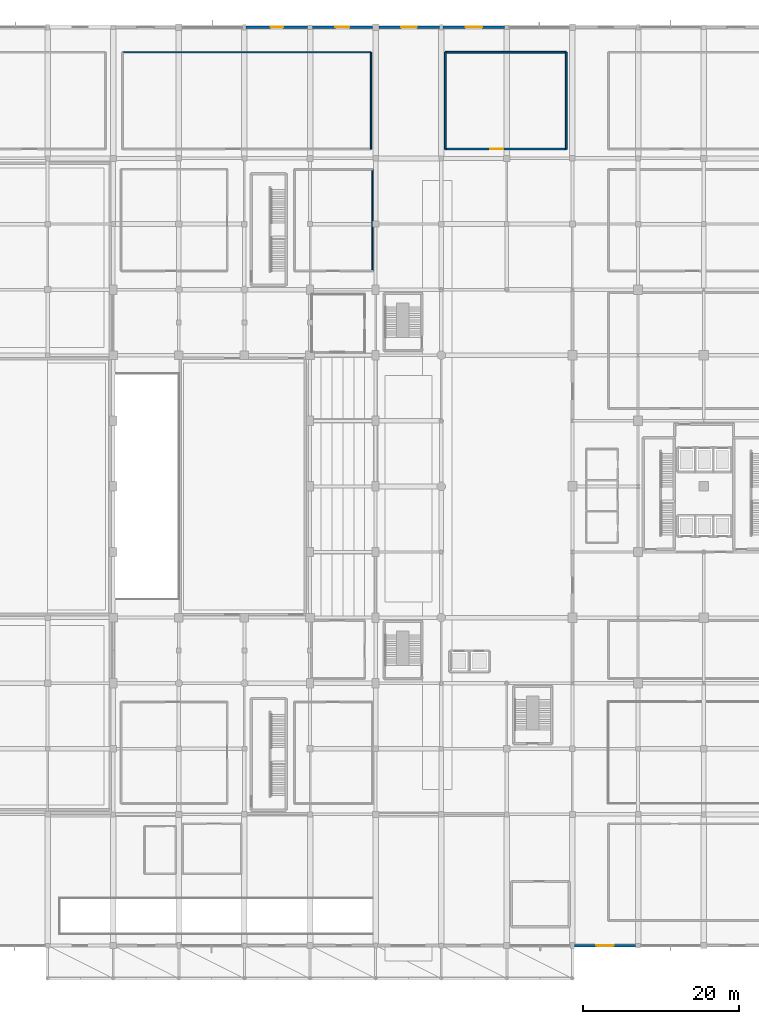
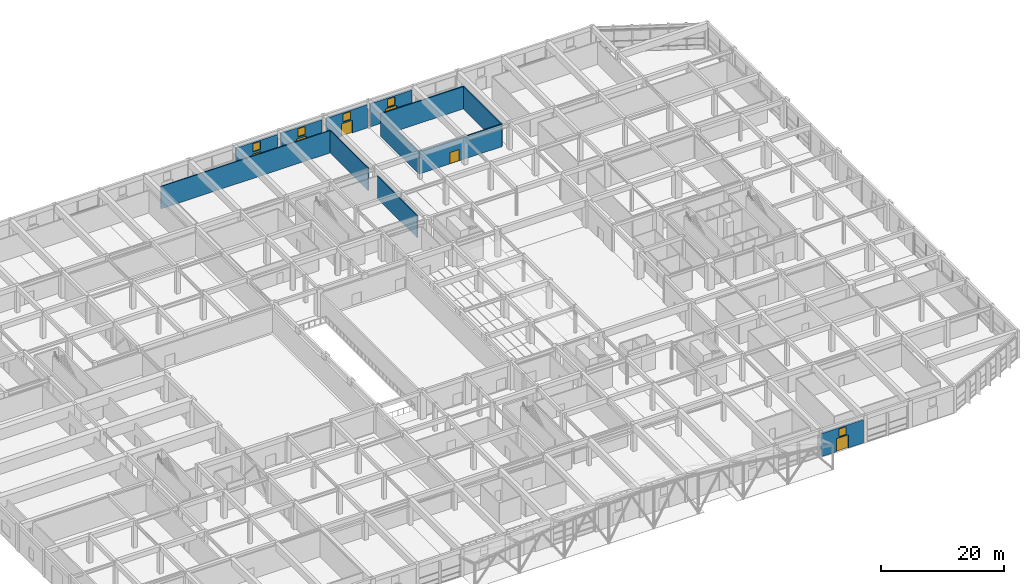
# One storey, part 47 of 62: 12 walls, 6 doors, 5 windows, 11 openings.
"""IFC4 building model written with IfcOpenShell, lengths in metres."""

from ifc_helpers import new_model, si_unit, direction, frame, frame_2d, origin, place, context, subcontext, project, spatial, rectangle, extrude, material, layer, layer_set, type_object, element, fill, save


model = new_model("IFC4")

# Units and contexts
model_context = context("Model", 3, precision=1e-05, world=origin(), true_north=direction((0.0, 1.0)))
body_context = subcontext(model_context, "Body", "Model", "MODEL_VIEW")
ifc_project = project(units=[si_unit("LENGTHUNIT", "METRE"), si_unit("AREAUNIT", "SQUARE_METRE"), si_unit("VOLUMEUNIT", "CUBIC_METRE"), si_unit("PLANEANGLEUNIT", "RADIAN"), si_unit("MASSUNIT", "GRAM", prefix="KILO")], contexts=[model_context])

# Site, building, storey
site_placement = place(None, origin())
site = spatial("IfcSite", under=ifc_project, at=site_placement, CompositionType="ELEMENT")
building_placement = place(site_placement, origin())
building = spatial("IfcBuilding", under=site, at=building_placement, Name="Xuanlan Plaza Opera House", CompositionType="ELEMENT")
storey_placement = place(building_placement, origin())
storey = spatial("IfcBuildingStorey", under=building, at=storey_placement, Name="L00", CompositionType="ELEMENT", Elevation=0.0)

# Wall, openings, door, window
ifc_material_1 = material(Name="Anodised Aluminium 6063-T6 and Rockwool Cladding", Category="aluminium")
ifc_layer_1 = layer(ifc_material_1, 0.360107421875)
ifc_layer_set_1 = layer_set([ifc_layer_1], Name="Anodised Aluminium 6063-T6 and Rockwool Cladding")
wall_type_1 = type_object("IfcWallType", Name="ENV-WL-EW-01", PredefinedType="STANDARD", material=ifc_layer_set_1)
wall_1_placement = place(storey_placement, frame((117.300048828125, 117.60009765625, 0.0), z_axis=(0.0, 0.0, 1.0), x_axis=(-1.0, 0.0, 0.0)))
wall_1 = element("IfcWall", 1, at=wall_1_placement, inside=storey, type_object=wall_type_1, Name="Exterior Wall L00-035", PredefinedType="STANDARD", context=body_context, shape_type="SweptSolid", body=[
    extrude(rectangle(XDim=7.85009765625, YDim=0.360107421875, at=frame_2d((3.925048828125, 0.0))), origin(), (0.0, 0.0, 1.0), 4.580078125),
])
opening_1_placement = place(wall_1_placement, frame((2.875, 0.0, 0.0)))
opening_1 = element("IfcOpeningElement", 2, at=opening_1_placement, cuts=wall_1, Name="Opening ED-06", PredefinedType="OPENING", context=body_context, shape_type="SweptSolid", body=[
    extrude(rectangle(XDim=2.10009765625, YDim=2.550048828125, at=frame_2d((1.050048828125, 1.27490234375))), frame((0.0, 0.18994140625, 0.0), z_axis=(0.0, -1.0, 0.0), x_axis=(1.0, 0.0, 0.0)), (0.0, 0.0, 1.0), 0.380126953125),
])
opening_2_placement = place(wall_1_placement, frame((3.22509765625, 0.0, 2.75)))
opening_2 = element("IfcOpeningElement", 3, at=opening_2_placement, cuts=wall_1, Name="Opening WN-08", PredefinedType="OPENING", context=body_context, shape_type="SweptSolid", body=[
    extrude(rectangle(XDim=1.39990234375, YDim=1.60009765625, at=frame_2d((0.699951171875, 0.800048828125))), frame((0.0, 0.18994140625, 0.0), z_axis=(0.0, -1.0, 0.0), x_axis=(1.0, 0.0, 0.0)), (0.0, 0.0, 1.0), 0.380126953125),
])
ifc_material_2 = material(Name="Anodised Aluminium 6063-T6 and Laminated Safety Glass", Category="aluminium")
door_type_1 = type_object("IfcDoorType", Name="ENV-DR-ED-06", OperationType="DOUBLE_DOOR_SINGLE_SWING", PredefinedType="DOOR", material=ifc_material_2)
door_1_placement = place(opening_1_placement, frame((2.10009765625, 0.0, 0.0), z_axis=(0.0, 0.0, 1.0), x_axis=(-1.0, 0.0, 0.0)))
door_1 = element("IfcDoor", 4, at=door_1_placement, inside=storey, type_object=door_type_1, Name="Main Foyer Pedestrian Entrance Door 17", OperationType="DOUBLE_DOOR_SINGLE_SWING", OverallHeight=2.550048828125, OverallWidth=2.10009765625, PredefinedType="DOOR", context=body_context, shape_type="SweptSolid", body=[
    extrude(rectangle(XDim=2.10009765625, YDim=2.550048828125, at=frame_2d((1.050048828125, 1.27490234375))), frame((0.0, 0.02490234375, 0.0), z_axis=(0.0, -1.0, 0.0), x_axis=(1.0, 0.0, 0.0)), (0.0, 0.0, 1.0), 0.050048828125),
])
fill(opening_1, door_1)
ifc_material_3 = material(Name="Anodised Aluminium 6063-T6 and Low-E Glass", Category="aluminium")
window_type = type_object("IfcWindowType", Name="ENV-WN-WN-08", PartitioningType="SINGLE_PANEL", PredefinedType="WINDOW", material=ifc_material_3)
window_1_placement = place(opening_2_placement, origin())
window_1 = element("IfcWindow", 5, at=window_1_placement, inside=storey, type_object=window_type, Name="Entrance Portal Transom Clerestory 17", OverallHeight=1.60009765625, OverallWidth=1.39990234375, PartitioningType="SINGLE_PANEL", PredefinedType="WINDOW", context=body_context, shape_type="SweptSolid", body=[
    extrude(rectangle(XDim=1.39990234375, YDim=1.60009765625, at=frame_2d((0.699951171875, 0.800048828125))), frame((0.0, 0.030029296875, 0.0), z_axis=(0.0, -1.0, 0.0), x_axis=(1.0, 0.0, 0.0)), (0.0, 0.0, 1.0), 0.06005859375),
])
fill(opening_2, window_1)

ifc_layer_2 = layer(ifc_material_1, 0.340087890625)
ifc_layer_set_2 = layer_set([ifc_layer_2], Name="Anodised Aluminium 6063-T6 and Rockwool Cladding")
wall_type_2 = type_object("IfcWallType", Name="ENV-WL-EW-02", PredefinedType="STANDARD", material=ifc_layer_set_2)
wall_2_placement = place(storey_placement, frame((108.949951171875, 117.60009765625, 0.0), z_axis=(0.0, 0.0, 1.0), x_axis=(-1.0, 0.0, 0.0)))
wall_2 = element("IfcWall", 6, at=wall_2_placement, inside=storey, type_object=wall_type_2, Name="Exterior Wall L00-036", PredefinedType="STANDARD", context=body_context, shape_type="SweptSolid", body=[
    extrude(rectangle(XDim=7.75, YDim=0.340087890625, at=frame_2d((3.875, 0.0))), origin(), (0.0, 0.0, 1.0), 4.580078125),
])
opening_3_placement = place(wall_2_placement, frame((2.875, 0.0, 0.0)))
opening_3 = element("IfcOpeningElement", 7, at=opening_3_placement, cuts=wall_2, Name="Opening ED-01", PredefinedType="OPENING", context=body_context, shape_type="SweptSolid", body=[
    extrude(rectangle(XDim=2.0, YDim=2.5, at=frame_2d((1.0, 1.25))), frame((0.0, 0.179931640625, 0.0), z_axis=(0.0, -1.0, 0.0), x_axis=(1.0, 0.0, 0.0)), (0.0, 0.0, 1.0), 0.360107421875),
])
opening_4_placement = place(wall_2_placement, frame((3.175048828125, 0.0, 2.75)))
opening_4 = element("IfcOpeningElement", 8, at=opening_4_placement, cuts=wall_2, Name="Opening WN-08", PredefinedType="OPENING", context=body_context, shape_type="SweptSolid", body=[
    extrude(rectangle(XDim=1.39990234375, YDim=1.60009765625, at=frame_2d((0.699951171875, 0.800048828125))), frame((0.0, 0.179931640625, 0.0), z_axis=(0.0, -1.0, 0.0), x_axis=(1.0, 0.0, 0.0)), (0.0, 0.0, 1.0), 0.360107421875),
])
door_type_2 = type_object("IfcDoorType", Name="ENV-DR-ED-01", OperationType="DOUBLE_DOOR_SINGLE_SWING", PredefinedType="DOOR", material=ifc_material_2)
door_2_placement = place(opening_3_placement, frame((2.0, 0.0, 0.0), z_axis=(0.0, 0.0, 1.0), x_axis=(-1.0, 0.0, 0.0)))
door_2 = element("IfcDoor", 9, at=door_2_placement, inside=storey, type_object=door_type_2, Name="Main Foyer Pedestrian Entrance Door 18", OperationType="DOUBLE_DOOR_SINGLE_SWING", OverallHeight=2.5, OverallWidth=2.0, PredefinedType="DOOR", context=body_context, shape_type="SweptSolid", body=[
    extrude(rectangle(XDim=2.0, YDim=2.5, at=frame_2d((1.0, 1.25))), frame((0.0, 0.02490234375, 0.0), z_axis=(0.0, -1.0, 0.0), x_axis=(1.0, 0.0, 0.0)), (0.0, 0.0, 1.0), 0.050048828125),
])
fill(opening_3, door_2)
window_2_placement = place(opening_4_placement, origin())
window_2 = element("IfcWindow", 10, at=window_2_placement, inside=storey, type_object=window_type, Name="Entrance Portal Transom Clerestory 18", OverallHeight=1.60009765625, OverallWidth=1.39990234375, PartitioningType="SINGLE_PANEL", PredefinedType="WINDOW", context=body_context, shape_type="SweptSolid", body=[
    extrude(rectangle(XDim=1.39990234375, YDim=1.60009765625, at=frame_2d((0.699951171875, 0.800048828125))), frame((0.0, 0.030029296875, 0.0), z_axis=(0.0, -1.0, 0.0), x_axis=(1.0, 0.0, 0.0)), (0.0, 0.0, 1.0), 0.06005859375),
])
fill(opening_4, window_2)

ifc_layer_3 = layer(ifc_material_1, 0.320068359375)
ifc_layer_set_3 = layer_set([ifc_layer_3], Name="Anodised Aluminium 6063-T6 and Rockwool Cladding")
wall_type_3 = type_object("IfcWallType", Name="ENV-WL-EW-03", PredefinedType="STANDARD", material=ifc_layer_set_3)
wall_3_placement = place(storey_placement, frame((100.39990234375, 117.60009765625, 0.0), z_axis=(0.0, 0.0, 1.0), x_axis=(-1.0, 0.0, 0.0)))
wall_3 = element("IfcWall", 11, at=wall_3_placement, inside=storey, type_object=wall_type_3, Name="Exterior Wall L00-037", PredefinedType="STANDARD", context=body_context, shape_type="SweptSolid", body=[
    extrude(rectangle(XDim=7.699951171875, YDim=0.320068359375, at=frame_2d((3.85009765625, 0.0))), origin(), (0.0, 0.0, 1.0), 4.580078125),
])
opening_5_placement = place(wall_3_placement, frame((2.949951171875, 0.0, 0.0)))
opening_5 = element("IfcOpeningElement", 12, at=opening_5_placement, cuts=wall_3, Name="Opening ED-02", PredefinedType="OPENING", context=body_context, shape_type="SweptSolid", body=[
    extrude(rectangle(XDim=1.800048828125, YDim=2.39990234375, at=frame_2d((0.89990234375, 1.199951171875))), frame((0.0, 0.169921875, 0.0), z_axis=(0.0, -1.0, 0.0), x_axis=(1.0, 0.0, 0.0)), (0.0, 0.0, 1.0), 0.340087890625),
])
opening_6_placement = place(wall_3_placement, frame((3.14990234375, 0.0, 2.75)))
opening_6 = element("IfcOpeningElement", 13, at=opening_6_placement, cuts=wall_3, Name="Opening WN-08", PredefinedType="OPENING", context=body_context, shape_type="SweptSolid", body=[
    extrude(rectangle(XDim=1.39990234375, YDim=1.60009765625, at=frame_2d((0.699951171875, 0.800048828125))), frame((0.0, 0.169921875, 0.0), z_axis=(0.0, -1.0, 0.0), x_axis=(1.0, 0.0, 0.0)), (0.0, 0.0, 1.0), 0.340087890625),
])
door_type_3 = type_object("IfcDoorType", Name="ENV-DR-ED-02", OperationType="DOUBLE_DOOR_SINGLE_SWING", PredefinedType="DOOR", material=ifc_material_2)
door_3_placement = place(opening_5_placement, frame((1.800048828125, 0.0, 0.0), z_axis=(0.0, 0.0, 1.0), x_axis=(-1.0, 0.0, 0.0)))
door_3 = element("IfcDoor", 14, at=door_3_placement, inside=storey, type_object=door_type_3, Name="Main Foyer Pedestrian Entrance Door 19", OperationType="DOUBLE_DOOR_SINGLE_SWING", OverallHeight=2.39990234375, OverallWidth=1.800048828125, PredefinedType="DOOR", context=body_context, shape_type="SweptSolid", body=[
    extrude(rectangle(XDim=1.800048828125, YDim=2.39990234375, at=frame_2d((0.89990234375, 1.199951171875))), frame((0.0, 0.02490234375, 0.0), z_axis=(0.0, -1.0, 0.0), x_axis=(1.0, 0.0, 0.0)), (0.0, 0.0, 1.0), 0.050048828125),
])
fill(opening_5, door_3)
window_3_placement = place(opening_6_placement, origin())
window_3 = element("IfcWindow", 15, at=window_3_placement, inside=storey, type_object=window_type, Name="Entrance Portal Transom Clerestory 19", OverallHeight=1.60009765625, OverallWidth=1.39990234375, PartitioningType="SINGLE_PANEL", PredefinedType="WINDOW", context=body_context, shape_type="SweptSolid", body=[
    extrude(rectangle(XDim=1.39990234375, YDim=1.60009765625, at=frame_2d((0.699951171875, 0.800048828125))), frame((0.0, 0.030029296875, 0.0), z_axis=(0.0, -1.0, 0.0), x_axis=(1.0, 0.0, 0.0)), (0.0, 0.0, 1.0), 0.06005859375),
])
fill(opening_6, window_3)

ifc_layer_4 = layer(ifc_material_1, 0.31005859375)
ifc_layer_set_4 = layer_set([ifc_layer_4], Name="Anodised Aluminium 6063-T6 and Rockwool Cladding")
wall_type_4 = type_object("IfcWallType", Name="ENV-WL-EW-04", PredefinedType="STANDARD", material=ifc_layer_set_4)
wall_4_placement = place(storey_placement, frame((126.25, 0.0, 0.0), z_axis=(0.0, 0.0, 1.0), x_axis=(1.0, 0.0, 0.0)))
wall_4 = element("IfcWall", 16, at=wall_4_placement, inside=storey, type_object=wall_type_4, Name="Exterior Wall L00-014", PredefinedType="STANDARD", context=body_context, shape_type="SweptSolid", body=[
    extrude(rectangle(XDim=7.85009765625, YDim=0.31005859375, at=frame_2d((3.925048828125, 0.0))), origin(), (0.0, 0.0, 1.0), 4.580078125),
])
opening_7_placement = place(wall_4_placement, frame((2.824951171875, 0.0, 0.0)))
opening_7 = element("IfcOpeningElement", 17, at=opening_7_placement, cuts=wall_4, Name="Opening ED-04", PredefinedType="OPENING", context=body_context, shape_type="SweptSolid", body=[
    extrude(rectangle(XDim=2.199951171875, YDim=2.60009765625, at=frame_2d((1.10009765625, 1.300048828125))), frame((0.0, 0.1650390625, 0.0), z_axis=(0.0, -1.0, 0.0), x_axis=(1.0, 0.0, 0.0)), (0.0, 0.0, 1.0), 0.330078125),
])
opening_8_placement = place(wall_4_placement, frame((3.22509765625, 0.0, 2.75)))
opening_8 = element("IfcOpeningElement", 18, at=opening_8_placement, cuts=wall_4, Name="Opening WN-08", PredefinedType="OPENING", context=body_context, shape_type="SweptSolid", body=[
    extrude(rectangle(XDim=1.39990234375, YDim=1.60009765625, at=frame_2d((0.699951171875, 0.800048828125))), frame((0.0, 0.1650390625, 0.0), z_axis=(0.0, -1.0, 0.0), x_axis=(1.0, 0.0, 0.0)), (0.0, 0.0, 1.0), 0.330078125),
])
door_type_4 = type_object("IfcDoorType", Name="ENV-DR-ED-04", OperationType="DOUBLE_DOOR_SINGLE_SWING", PredefinedType="DOOR", material=ifc_material_2)
door_4_placement = place(opening_7_placement, frame((2.199951171875, 0.0, 0.0), z_axis=(0.0, 0.0, 1.0), x_axis=(-1.0, 0.0, 0.0)))
door_4 = element("IfcDoor", 19, at=door_4_placement, inside=storey, type_object=door_type_4, Name="Main Foyer Pedestrian Entrance Door 09", OperationType="DOUBLE_DOOR_SINGLE_SWING", OverallHeight=2.60009765625, OverallWidth=2.199951171875, PredefinedType="DOOR", context=body_context, shape_type="SweptSolid", body=[
    extrude(rectangle(XDim=2.199951171875, YDim=2.60009765625, at=frame_2d((1.10009765625, 1.300048828125))), frame((0.0, 0.02490234375, 0.0), z_axis=(0.0, -1.0, 0.0), x_axis=(1.0, 0.0, 0.0)), (0.0, 0.0, 1.0), 0.050048828125),
])
fill(opening_7, door_4)
window_4_placement = place(opening_8_placement, origin())
window_4 = element("IfcWindow", 20, at=window_4_placement, inside=storey, type_object=window_type, Name="Entrance Portal Transom Clerestory 09", OverallHeight=1.60009765625, OverallWidth=1.39990234375, PartitioningType="SINGLE_PANEL", PredefinedType="WINDOW", context=body_context, shape_type="SweptSolid", body=[
    extrude(rectangle(XDim=1.39990234375, YDim=1.60009765625, at=frame_2d((0.699951171875, 0.800048828125))), frame((0.0, 0.030029296875, 0.0), z_axis=(0.0, -1.0, 0.0), x_axis=(1.0, 0.0, 0.0)), (0.0, 0.0, 1.0), 0.06005859375),
])
fill(opening_8, window_4)

wall_5_placement = place(storey_placement, frame((92.10009765625, 117.60009765625, 0.0), z_axis=(0.0, 0.0, 1.0), x_axis=(-1.0, 0.0, 0.0)))
wall_5 = element("IfcWall", 21, at=wall_5_placement, inside=storey, type_object=wall_type_4, Name="Exterior Wall L00-038", PredefinedType="STANDARD", context=body_context, shape_type="SweptSolid", body=[
    extrude(rectangle(XDim=7.875, YDim=0.31005859375, at=frame_2d((3.9375, 0.0))), origin(), (0.0, 0.0, 1.0), 4.580078125),
])
opening_9_placement = place(wall_5_placement, frame((3.137939453125, 0.0, 0.0)))
opening_9 = element("IfcOpeningElement", 22, at=opening_9_placement, cuts=wall_5, Name="Opening ED-03", PredefinedType="OPENING", context=body_context, shape_type="SweptSolid", body=[
    extrude(rectangle(XDim=1.60009765625, YDim=2.300048828125, at=frame_2d((0.800048828125, 1.14990234375))), frame((0.0, 0.1650390625, 0.0), z_axis=(0.0, -1.0, 0.0), x_axis=(1.0, 0.0, 0.0)), (0.0, 0.0, 1.0), 0.330078125),
])
opening_10_placement = place(wall_5_placement, frame((3.237060546875, 0.0, 2.75)))
opening_10 = element("IfcOpeningElement", 23, at=opening_10_placement, cuts=wall_5, Name="Opening WN-08", PredefinedType="OPENING", context=body_context, shape_type="SweptSolid", body=[
    extrude(rectangle(XDim=1.39990234375, YDim=1.60009765625, at=frame_2d((0.699951171875, 0.800048828125))), frame((0.0, 0.1650390625, 0.0), z_axis=(0.0, -1.0, 0.0), x_axis=(1.0, 0.0, 0.0)), (0.0, 0.0, 1.0), 0.330078125),
])
door_type_5 = type_object("IfcDoorType", Name="ENV-DR-ED-03", OperationType="DOUBLE_DOOR_SINGLE_SWING", PredefinedType="DOOR", material=ifc_material_2)
door_5_placement = place(opening_9_placement, frame((1.60009765625, 0.0, 0.0), z_axis=(0.0, 0.0, 1.0), x_axis=(-1.0, 0.0, 0.0)))
door_5 = element("IfcDoor", 24, at=door_5_placement, inside=storey, type_object=door_type_5, Name="Main Foyer Pedestrian Entrance Door 20", OperationType="DOUBLE_DOOR_SINGLE_SWING", OverallHeight=2.300048828125, OverallWidth=1.60009765625, PredefinedType="DOOR", context=body_context, shape_type="SweptSolid", body=[
    extrude(rectangle(XDim=1.60009765625, YDim=2.300048828125, at=frame_2d((0.800048828125, 1.14990234375))), frame((0.0, 0.02490234375, 0.0), z_axis=(0.0, -1.0, 0.0), x_axis=(1.0, 0.0, 0.0)), (0.0, 0.0, 1.0), 0.050048828125),
])
fill(opening_9, door_5)
window_5_placement = place(opening_10_placement, origin())
window_5 = element("IfcWindow", 25, at=window_5_placement, inside=storey, type_object=window_type, Name="Entrance Portal Transom Clerestory 20", OverallHeight=1.60009765625, OverallWidth=1.39990234375, PartitioningType="SINGLE_PANEL", PredefinedType="WINDOW", context=body_context, shape_type="SweptSolid", body=[
    extrude(rectangle(XDim=1.39990234375, YDim=1.60009765625, at=frame_2d((0.699951171875, 0.800048828125))), frame((0.0, 0.030029296875, 0.0), z_axis=(0.0, -1.0, 0.0), x_axis=(1.0, 0.0, 0.0)), (0.0, 0.0, 1.0), 0.06005859375),
])
fill(opening_10, window_5)

# Walls
ifc_material_4 = material(Name="Gypsum Board and Galvanised Steel Studs", Category="gypsum")
ifc_layer_5 = layer(ifc_material_4, 0.179931640625)
ifc_layer_set_5 = layer_set([ifc_layer_5], Name="Gypsum Board and Galvanised Steel Studs")
wall_type_5 = type_object("IfcWallType", Name="INT-WL-PW-02", PredefinedType="PARTITIONING", material=ifc_layer_set_5)
wall_6_placement = place(storey_placement, frame((100.39990234375, 86.39990234375, 0.0), z_axis=(0.0, 0.0, 1.0), x_axis=(0.0, 1.0, 0.0)))
element("IfcWall", 26, at=wall_6_placement, inside=storey, type_object=wall_type_5, Name="Audience Programme Store Wall East", PredefinedType="PARTITIONING", context=body_context, shape_type="SweptSolid", body=[
    extrude(rectangle(XDim=13.0, YDim=0.179931640625, at=frame_2d((6.5, 0.0))), origin(), (0.0, 0.0, 1.0), 4.43994140625),
])
wall_7_placement = place(storey_placement, frame((68.39990234375, 114.39990234375, 0.0), z_axis=(0.0, 0.0, 1.0), x_axis=(1.0, 0.0, 0.0)))
element("IfcWall", 27, at=wall_7_placement, inside=storey, type_object=wall_type_5, Name="Orchestra Touring Instrument Store Wall North", PredefinedType="PARTITIONING", context=body_context, shape_type="SweptSolid", body=[
    extrude(rectangle(XDim=31.800048828125, YDim=0.179931640625, at=frame_2d((15.89990234375, 0.0))), origin(), (0.0, 0.0, 1.0), 4.43994140625),
])
wall_8_placement = place(storey_placement, frame((100.199951171875, 102.0, 0.0), z_axis=(0.0, 0.0, 1.0), x_axis=(0.0, 1.0, 0.0)))
element("IfcWall", 28, at=wall_8_placement, inside=storey, type_object=wall_type_5, Name="Orchestra Touring Instrument Store Wall East", PredefinedType="PARTITIONING", context=body_context, shape_type="SweptSolid", body=[
    extrude(rectangle(XDim=12.39990234375, YDim=0.179931640625, at=frame_2d((6.199951171875, 0.0))), origin(), (0.0, 0.0, 1.0), 4.43994140625),
])

# Wall, opening, door
ifc_material_5 = material(Name="Autoclaved Aerated Blockwork Masonry", Category="masonry")
ifc_layer_6 = layer(ifc_material_5, 0.219970703125)
ifc_layer_set_6 = layer_set([ifc_layer_6], Name="Autoclaved Aerated Blockwork Masonry")
wall_type_6 = type_object("IfcWallType", Name="INT-WL-PW-06", PredefinedType="PARTITIONING", material=ifc_layer_set_6)
wall_9_placement = place(storey_placement, frame((109.699951171875, 102.0, 0.0), z_axis=(0.0, 0.0, 1.0), x_axis=(1.0, 0.0, 0.0)))
wall_9 = element("IfcWall", 29, at=wall_9_placement, inside=storey, type_object=wall_type_6, Name="Cultural Bookshop Studio Wall South", PredefinedType="PARTITIONING", context=body_context, shape_type="SweptSolid", body=[
    extrude(rectangle(XDim=15.5, YDim=0.219970703125, at=frame_2d((7.75, 0.0))), origin(), (0.0, 0.0, 1.0), 4.43994140625),
])
opening_11_placement = place(wall_9_placement, frame((5.75, 0.0, 0.0)))
opening_11 = element("IfcOpeningElement", 30, at=opening_11_placement, cuts=wall_9, Name="Opening D-14", PredefinedType="OPENING", context=body_context, shape_type="SweptSolid", body=[
    extrude(rectangle(XDim=1.679931640625, YDim=2.239990234375, at=frame_2d((0.83984375, 1.1201171875))), frame((0.0, 0.119873046875, 0.0), z_axis=(0.0, -1.0, 0.0), x_axis=(1.0, 0.0, 0.0)), (0.0, 0.0, 1.0), 0.239990234375),
])
ifc_material_6 = material(Name="Oak Hardwood Timber", Category="wood")
door_type_6 = type_object("IfcDoorType", Name="INT-DR-D-14", OperationType="DOUBLE_DOOR_SINGLE_SWING", PredefinedType="DOOR", material=ifc_material_6)
door_6_placement = place(opening_11_placement, origin())
door_6 = element("IfcDoor", 31, at=door_6_placement, inside=storey, type_object=door_type_6, Name="Cultural Bookshop Studio Door 1", OperationType="DOUBLE_DOOR_SINGLE_SWING", OverallHeight=2.239990234375, OverallWidth=1.679931640625, PredefinedType="DOOR", context=body_context, shape_type="SweptSolid", body=[
    extrude(rectangle(XDim=1.679931640625, YDim=2.239990234375, at=frame_2d((0.83984375, 1.1201171875))), frame((0.0, 0.02490234375, 0.0), z_axis=(0.0, -1.0, 0.0), x_axis=(1.0, 0.0, 0.0)), (0.0, 0.0, 1.0), 0.050048828125),
])
fill(opening_11, door_6)

# Walls
wall_10_placement = place(storey_placement, frame((109.699951171875, 114.39990234375, 0.0), z_axis=(0.0, 0.0, 1.0), x_axis=(1.0, 0.0, 0.0)))
element("IfcWall", 32, at=wall_10_placement, inside=storey, type_object=wall_type_6, Name="Cultural Bookshop Studio Wall North", PredefinedType="PARTITIONING", context=body_context, shape_type="SweptSolid", body=[
    extrude(rectangle(XDim=15.5, YDim=0.219970703125, at=frame_2d((7.75, 0.0))), origin(), (0.0, 0.0, 1.0), 4.43994140625),
])
for number, where, z_axis, x_axis, name in (
    (33, (109.699951171875, 102.0, 0.0), (0.0, 0.0, 1.0), (0.0, 1.0, 0.0), "Cultural Bookshop Studio Wall West"),
    (34, (125.199951171875, 102.0, 0.0), (0.0, 0.0, 1.0), (0.0, 1.0, 0.0), "Cultural Bookshop Studio Wall East"),
):
    element("IfcWall", number, at=place(storey_placement, frame(where, z_axis=z_axis, x_axis=x_axis)), inside=storey, type_object=wall_type_6, Name=name, PredefinedType="PARTITIONING", context=body_context, shape_type="SweptSolid", body=[
        extrude(rectangle(XDim=12.39990234375, YDim=0.219970703125, at=frame_2d((6.199951171875, 0.0))), origin(), (0.0, 0.0, 1.0), 4.43994140625),
    ])

save(model, "model.ifc")
